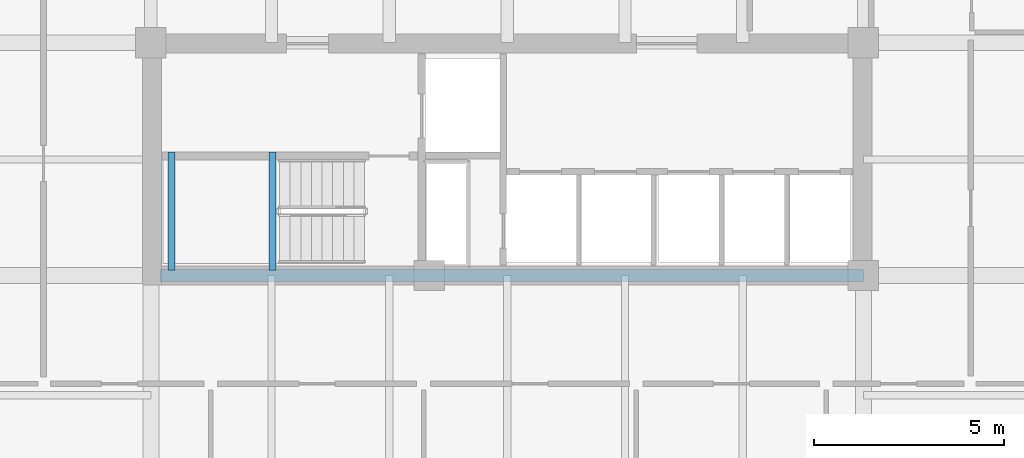
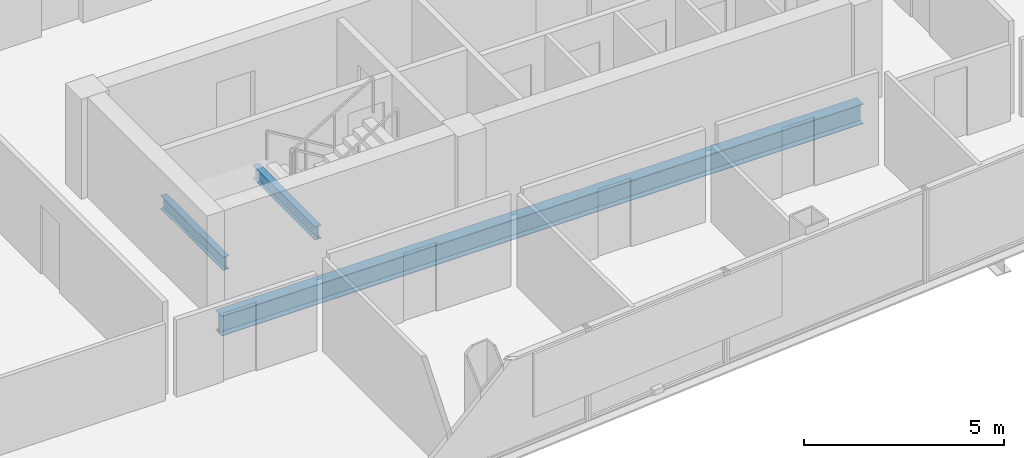
# One storey, part 5 of 22: 3 beams.
"""IFC4 building model written with IfcOpenShell, lengths in metres."""

from ifc_helpers import new_model, si_unit, direction, frame, origin, origin_2d, place, context, subcontext, project, spatial, i_section, extrude, material, material_profile, profile_set, type_object, element, save


model = new_model("IFC4")

# Units and contexts
model_context = context("Model", 3, precision=1e-05, world=origin(), true_north=direction((0.0, 1.0)))
body_context = subcontext(model_context, "Body", "Model", "MODEL_VIEW")
ifc_project = project(units=[si_unit("LENGTHUNIT", "METRE"), si_unit("AREAUNIT", "SQUARE_METRE"), si_unit("VOLUMEUNIT", "CUBIC_METRE"), si_unit("PLANEANGLEUNIT", "RADIAN"), si_unit("MASSUNIT", "GRAM", prefix="KILO")], contexts=[model_context])

# Site, building, storey
site_placement = place(None, origin())
site = spatial("IfcSite", under=ifc_project, at=site_placement, CompositionType="ELEMENT")
building_placement = place(site_placement, origin())
building = spatial("IfcBuilding", under=site, at=building_placement, Name="Qhalaya Broadcast Tower", CompositionType="ELEMENT")
storey_placement = place(building_placement, frame((0.0, 0.0, 171.39990234375)))
storey = spatial("IfcBuildingStorey", under=building, at=storey_placement, Name="L50", CompositionType="ELEMENT", Elevation=171.39990234375)

# Beams
ifc_material = material(Name="Structural Steel ASTM A992 Grade 50", Category="steel")
ifc_material_profile_1 = material_profile(ifc_material, i_section(OverallWidth=0.323974609375, OverallDepth=0.612060546875, WebThickness=0.0126953125, FlangeThickness=0.01904296875, at=origin_2d()), Name="W24X104")
ifc_profile_set_1 = profile_set([ifc_material_profile_1], Name="Structural Steel ASTM A992 Grade 50")
beam_type_1 = type_object("IfcBeamType", Name="Core Frame Tie Beam B04", PredefinedType="BEAM", material=ifc_profile_set_1)
beam_placement = place(storey_placement, frame((-9.1201171875, -8.75, -0.52587890625), z_axis=(1.0, 0.0, 0.0), x_axis=(0.0, 1.0, 0.0)))
element("IfcBeam", 1, at=beam_placement, inside=storey, type_object=beam_type_1, Name="L50 B04 L50-CCS3", PredefinedType="BEAM", context=body_context, shape_type="SweptSolid", body=[
    extrude(i_section(OverallWidth=0.323974609375, OverallDepth=0.612060546875, WebThickness=0.0126953125, FlangeThickness=0.01904296875, at=origin_2d()), origin(), (0.0, 0.0, 1.0), 18.4951171875),
])
ifc_material_profile_2 = material_profile(ifc_material, i_section(OverallWidth=0.177978515625, OverallDepth=0.406005859375, WebThickness=0.0078125, FlangeThickness=0.0126953125, at=origin_2d()), Name="W16X40")
ifc_profile_set_2 = profile_set([ifc_material_profile_2], Name="Structural Steel ASTM A992 Grade 50")
beam_type_2 = type_object("IfcBeamType", Name="Upper Perimeter Spandrel Beam SP2", PredefinedType="SPANDREL", material=ifc_profile_set_2)
for number, where, z_axis, x_axis, name in (
    (2, (-8.830078125, -8.6201171875, 1.1220703125), (0.0, 1.0, 0.0), (-1.0, 0.0, 0.0), "L50 ST-2 Half-Landing Bearer Beam 1"),
    (3, (-6.175048828125, -8.6201171875, 1.1220703125), (0.0, 1.0, 0.0), (-1.0, 0.0, 0.0), "L50 ST-2 Half-Landing Bearer Beam 2"),
):
    element("IfcBeam", number, at=place(storey_placement, frame(where, z_axis=z_axis, x_axis=x_axis)), inside=storey, type_object=beam_type_2, Name=name, PredefinedType="SPANDREL", context=body_context, shape_type="SweptSolid", body=[
        extrude(i_section(OverallWidth=0.177978515625, OverallDepth=0.406005859375, WebThickness=0.0078125, FlangeThickness=0.0126953125, at=origin_2d()), origin(), (0.0, 0.0, 1.0), 3.1201171875),
    ])

save(model, "model.ifc")
